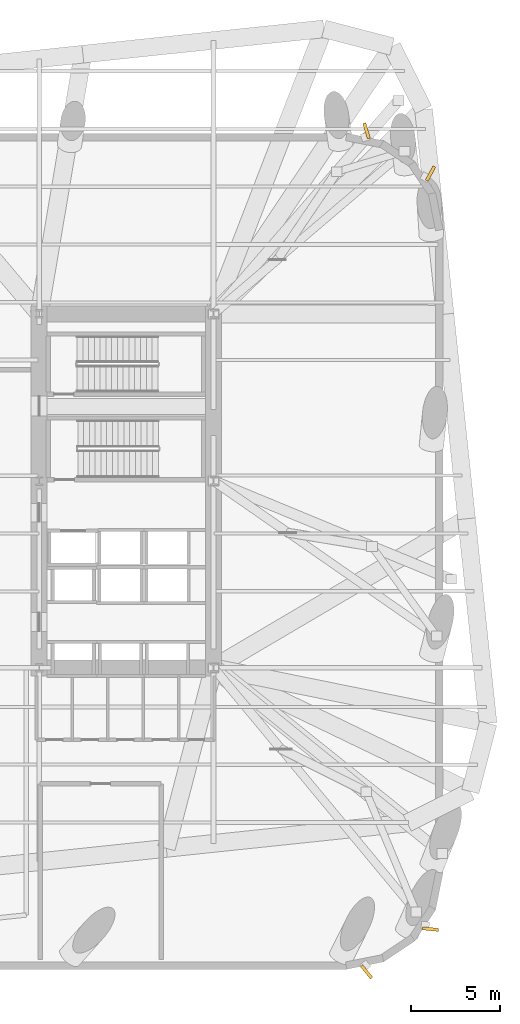
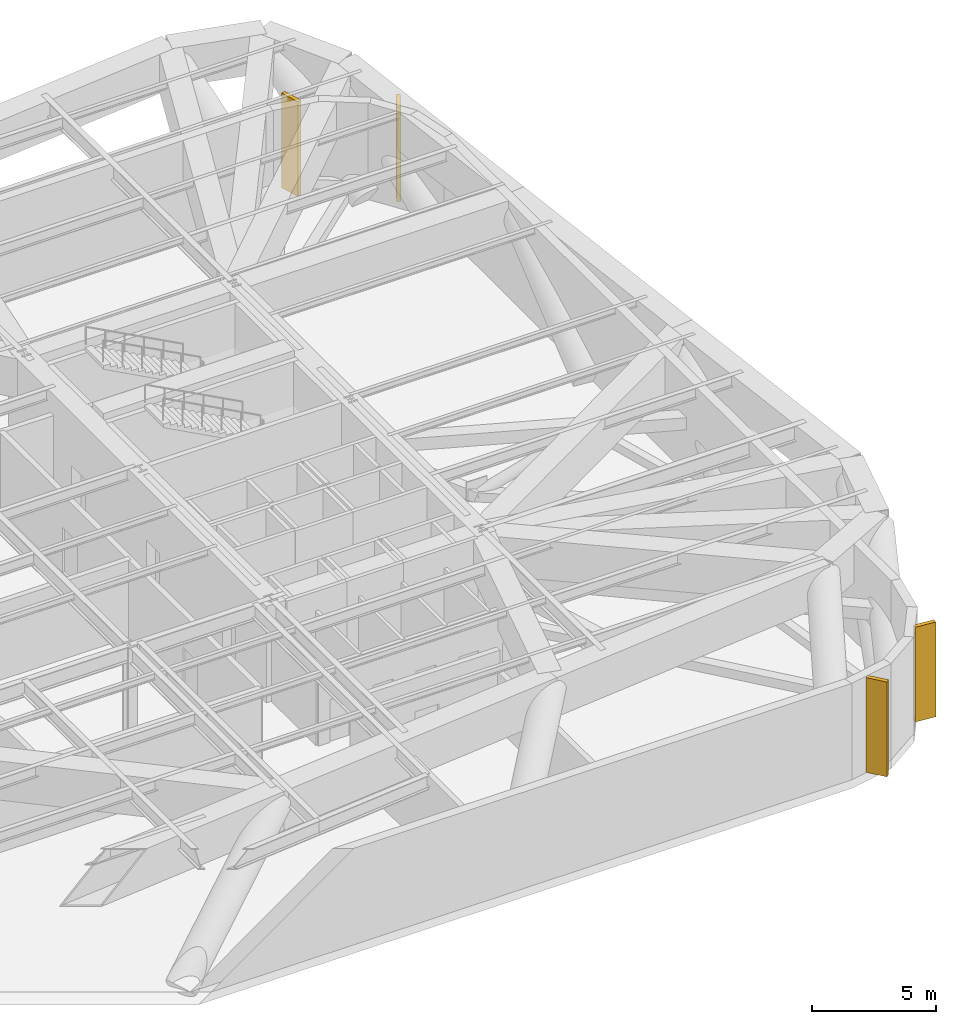
# One storey, part 16 of 16: 4 shading devices.
"""IFC4 building model written with IfcOpenShell, lengths in metres."""

from ifc_helpers import new_model, si_unit, direction, frame, origin, origin_2d, place, context, subcontext, project, spatial, rectangle, extrude, material, type_object, element, save


model = new_model("IFC4")

# Units and contexts
model_context = context("Model", 3, precision=1e-05, world=origin(), true_north=direction((0.0, 1.0)))
body_context = subcontext(model_context, "Body", "Model", "MODEL_VIEW")
ifc_project = project(units=[si_unit("LENGTHUNIT", "METRE"), si_unit("AREAUNIT", "SQUARE_METRE"), si_unit("VOLUMEUNIT", "CUBIC_METRE"), si_unit("PLANEANGLEUNIT", "RADIAN"), si_unit("MASSUNIT", "GRAM", prefix="KILO")], contexts=[model_context])

# Site, building, storey
site_placement = place(None, origin())
site = spatial("IfcSite", under=ifc_project, at=site_placement, CompositionType="ELEMENT")
building_placement = place(site_placement, origin())
building = spatial("IfcBuilding", under=site, at=building_placement, Name="Kolvaren Arena Tower", CompositionType="ELEMENT")
storey_placement = place(building_placement, frame((0.0, 0.0, 94.5)))
storey = spatial("IfcBuildingStorey", under=building, at=storey_placement, Name="L21", CompositionType="ELEMENT", Elevation=94.5)

# Shading devices
ifc_material = material(Name="Precast architectural concrete C50/60 rib fin", Category="concrete")
shading_device_type = type_object("IfcShadingDeviceType", Name="SHAD-FIN-28", PredefinedType="USERDEFINED", material=ifc_material)
for number, where, z_axis, x_axis, name in (
    (1, (68.95361328125, 2.3525390625, 0.02001953125), (0.0, 0.0, 1.0), (0.632722898811, -0.774378288254, 0.0), "Precast 28-Deg Corner Rib Fin (L21)"),
    (2, (72.552978515625, 4.757568359375, 0.02001953125), (0.0, 0.0, 1.0), (0.994971840066, -0.100155067151, 0.0), "Precast 28-Deg Corner Rib Fin (L21)"),
    (3, (72.552978515625, 47.242431640625, 0.02001953125), (0.0, 0.0, 1.0), (0.473348878368, 0.880875041846, 0.0), "Precast 28-Deg Corner Rib Fin (L21)"),
    (4, (68.95361328125, 49.6474609375, 0.02001953125), (0.0, 0.0, 1.0), (-0.288174541455, 0.957577899524, 0.0), "Precast 28-Deg Corner Rib Fin (L21)"),
):
    element("IfcShadingDevice", number, at=place(storey_placement, frame(where, z_axis=z_axis, x_axis=x_axis)), inside=storey, type_object=shading_device_type, Name=name, ObjectType="FIN", PredefinedType="USERDEFINED", context=body_context, shape_type="SweptSolid", body=[
        extrude(rectangle(XDim=0.89990234375, YDim=0.179931640625, at=origin_2d()), origin(), (0.0, 0.0, 1.0), 4.669921875),
    ])

save(model, "model.ifc")
